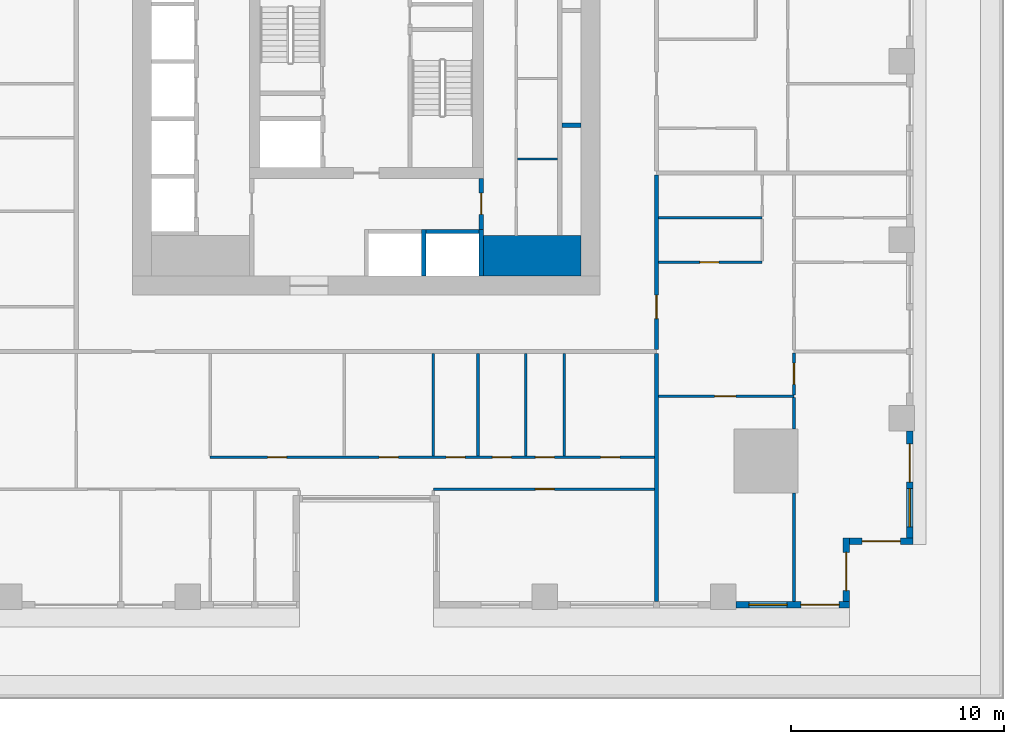
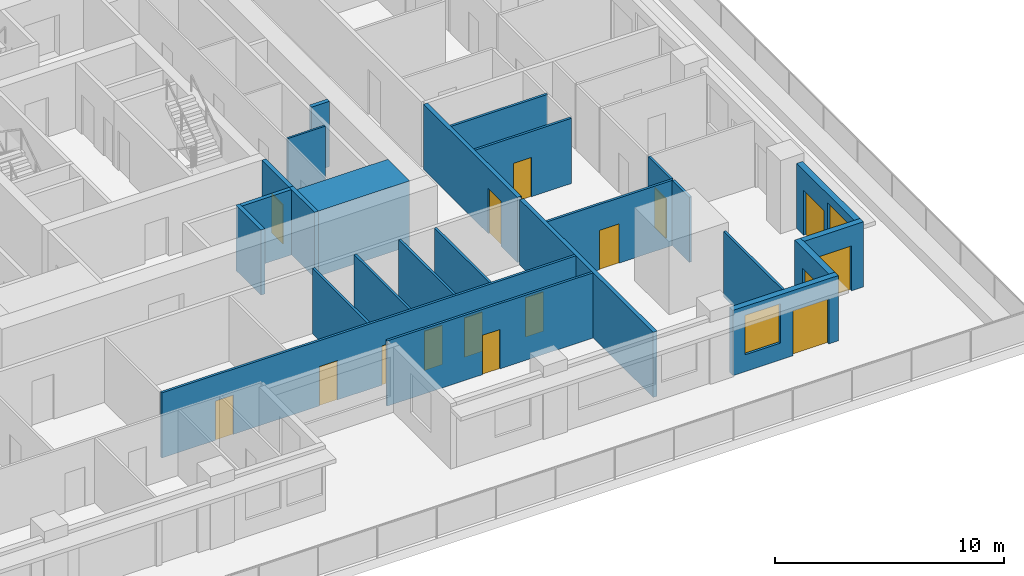
# One storey, part 5 of 16: 25 walls, 16 doors, 2 windows, 18 openings.
"""IFC4 building model written with IfcOpenShell, lengths in metres."""

from ifc_helpers import new_model, si_unit, direction, frame, frame_2d, origin, place, context, subcontext, project, spatial, rectangle, extrude, material, layer, layer_set, type_object, element, fill, save


model = new_model("IFC4")

# Units and contexts
model_context = context("Model", 3, precision=1e-05, world=origin(), true_north=direction((0.0, 1.0)))
body_context = subcontext(model_context, "Body", "Model", "MODEL_VIEW")
ifc_project = project(units=[si_unit("LENGTHUNIT", "METRE"), si_unit("AREAUNIT", "SQUARE_METRE"), si_unit("VOLUMEUNIT", "CUBIC_METRE"), si_unit("PLANEANGLEUNIT", "RADIAN"), si_unit("MASSUNIT", "GRAM", prefix="KILO")], contexts=[model_context])

# Site, building, storey
site_placement = place(None, origin())
site = spatial("IfcSite", under=ifc_project, at=site_placement, CompositionType="ELEMENT")
building_placement = place(site_placement, origin())
building = spatial("IfcBuilding", under=site, at=building_placement, Name="Khepri Terraces", CompositionType="ELEMENT")
storey_placement = place(building_placement, frame((0.0, 0.0, 27.0)))
storey = spatial("IfcBuildingStorey", under=building, at=storey_placement, Name="L05", CompositionType="ELEMENT", Elevation=27.0)

# Walls
ifc_material_1 = material(Name="Concrete C80/95", Category="concrete")
ifc_layer_1 = layer(ifc_material_1, 1.89990234375, Name="Concrete C80/95", Category="concrete")
ifc_layer_set_1 = layer_set([ifc_layer_1], Name="Concrete C80/95")
wall_type_1 = type_object("IfcWallType", Name="Core wall 1900 C80/95", PredefinedType="SHEAR", material=ifc_layer_set_1)
wall_1_placement = place(storey_placement, frame((5.5, -9.14990234375, 0.0), z_axis=(0.0, 0.0, 1.0), x_axis=(1.0, 0.0, 0.0)))
element("IfcWall", 1, at=wall_1_placement, inside=storey, type_object=wall_type_1, Name="Core wall PR02 L05", PredefinedType="SHEAR", context=body_context, shape_type="SweptSolid", body=[
    extrude(rectangle(XDim=4.60009765625, YDim=1.89990234375, at=frame_2d((2.300048828125, 0.0))), origin(), (0.0, 0.0, 1.0), 3.47998046875),
])
ifc_layer_2 = layer(ifc_material_1, 0.199951171875, Name="Concrete C80/95", Category="concrete")
ifc_layer_set_2 = layer_set([ifc_layer_2], Name="Concrete C80/95")
wall_type_2 = type_object("IfcWallType", Name="Core wall 200 C80/95", PredefinedType="SHEAR", material=ifc_layer_set_2)
for number, where, z_axis, x_axis, name in (
    (2, (2.699951171875, -10.10009765625, 0.0), (0.0, 0.0, 1.0), (0.0, 1.0, 0.0), "Core wall SH02 L05"),
    (3, (5.39990234375, -10.10009765625, 0.0), (0.0, 0.0, 1.0), (0.0, 1.0, 0.0), "Core wall SH03 L05"),
):
    element("IfcWall", number, at=place(storey_placement, frame(where, z_axis=z_axis, x_axis=x_axis)), inside=storey, type_object=wall_type_2, Name=name, PredefinedType="SHEAR", context=body_context, shape_type="SweptSolid", body=[
        extrude(rectangle(XDim=2.2001953125, YDim=0.199951171875, at=frame_2d((1.10009765625, 0.0))), origin(), (0.0, 0.0, 1.0), 3.47998046875),
    ])
wall_2_placement = place(storey_placement, frame((2.800048828125, -8.0, 0.0), z_axis=(0.0, 0.0, 1.0), x_axis=(1.0, 0.0, 0.0)))
element("IfcWall", 4, at=wall_2_placement, inside=storey, type_object=wall_type_2, Name="Core wall SH07 L05", PredefinedType="SHEAR", context=body_context, shape_type="SweptSolid", body=[
    extrude(rectangle(XDim=2.5, YDim=0.199951171875, at=frame_2d((1.25, 0.0))), origin(), (0.0, 0.0, 1.0), 3.47998046875),
])
wall_3_placement = place(storey_placement, frame((9.199951171875, -3.0, 0.0), z_axis=(0.0, 0.0, 1.0), x_axis=(1.0, 0.0, 0.0)))
element("IfcWall", 5, at=wall_3_placement, inside=storey, type_object=wall_type_2, Name="Core wall SH11 L05", PredefinedType="SHEAR", context=body_context, shape_type="SweptSolid", body=[
    extrude(rectangle(XDim=0.900146484375, YDim=0.199951171875, at=frame_2d((0.4501953125, 0.0))), origin(), (0.0, 0.0, 1.0), 3.47998046875),
])
ifc_material_2 = material(Name="Fire-rated gypsum board partition")
ifc_layer_3 = layer(ifc_material_2, 0.10009765625, Name="Fire-rated gypsum board partition")
ifc_layer_set_3 = layer_set([ifc_layer_3], Name="Fire-rated gypsum board partition")
wall_type_3 = type_object("IfcWallType", Name="WL-CORE-PART-100", PredefinedType="PARTITIONING", material=ifc_layer_set_3)
wall_4_placement = place(storey_placement, frame((7.10009765625, -4.60009765625, 0.0), z_axis=(0.0, 0.0, 1.0), x_axis=(1.0, 0.0, 0.0)))
element("IfcWall", 6, at=wall_4_placement, inside=storey, type_object=wall_type_3, Name="Core partition PT04 L05", PredefinedType="PARTITIONING", context=body_context, shape_type="SweptSolid", body=[
    extrude(rectangle(XDim=1.89990234375, YDim=0.10009765625, at=frame_2d((0.949951171875, 0.0))), origin(), (0.0, 0.0, 1.0), 3.47998046875),
])

# Wall, opening, door
ifc_layer_4 = layer(ifc_material_2, 0.199951171875, Name="Fire-rated gypsum board partition")
ifc_layer_set_4 = layer_set([ifc_layer_4], Name="Fire-rated gypsum board partition")
wall_type_4 = type_object("IfcWallType", Name="WL-CORE-PART-200", PredefinedType="PARTITIONING", material=ifc_layer_set_4)
wall_5_placement = place(storey_placement, frame((5.39990234375, -7.89990234375, 0.0), z_axis=(0.0, 0.0, 1.0), x_axis=(0.0, 1.0, 0.0)))
wall_5 = element("IfcWall", 7, at=wall_5_placement, inside=storey, type_object=wall_type_4, Name="Core partition PT03 L05", PredefinedType="PARTITIONING", context=body_context, shape_type="SweptSolid", body=[
    extrude(rectangle(XDim=2.39990234375, YDim=0.199951171875, at=frame_2d((1.199951171875, 0.0))), origin(), (0.0, 0.0, 1.0), 3.47998046875),
])
opening_1_placement = place(wall_5_placement, frame((0.699951171875, 0.0, 0.0)))
opening_1 = element("IfcOpeningElement", 8, at=opening_1_placement, cuts=wall_5, Name="Opening L05-C19", PredefinedType="OPENING", context=body_context, shape_type="SweptSolid", body=[
    extrude(rectangle(XDim=1.0, YDim=2.10009765625, at=frame_2d((0.5, 1.050048828125))), frame((0.0, 0.10986328125, 0.0), z_axis=(0.0, -1.0, 0.0), x_axis=(1.0, 0.0, 0.0)), (0.0, 0.0, 1.0), 0.219970703125),
])
ifc_material_3 = material(Name="Painted steel", Category="steel")
door_type_1 = type_object("IfcDoorType", Name="DR-CORE-LOBBY-1000", OperationType="NOTDEFINED", PredefinedType="DOOR", material=ifc_material_3)
door_1_placement = place(opening_1_placement, origin())
door_1 = element("IfcDoor", 9, at=door_1_placement, inside=storey, type_object=door_type_1, Name="Lobby door L05-C19", OperationType="SINGLE_SWING_RIGHT", OverallHeight=2.10009765625, OverallWidth=1.0, PredefinedType="DOOR", context=body_context, shape_type="SweptSolid", body=[
    extrude(rectangle(XDim=1.0, YDim=2.10009765625, at=frame_2d((0.5, 1.050048828125))), frame((0.0, 0.02490234375, 0.0), z_axis=(0.0, -1.0, 0.0), x_axis=(1.0, 0.0, 0.0)), (0.0, 0.0, 1.0), 0.050048828125),
])
fill(opening_1, door_1)

# Wall
ifc_material_4 = material(Name="Fire-rated gypsum plasterboard partition, mineral wool")
ifc_layer_5 = layer(ifc_material_4, 0.199951171875, Name="Fire-rated gypsum plasterboard partition, mineral wool")
ifc_layer_set_5 = layer_set([ifc_layer_5], Name="Fire-rated gypsum plasterboard partition, mineral wool")
wall_type_5 = type_object("IfcWallType", Name="WL-CORR-200", PredefinedType="PARTITIONING", material=ifc_layer_set_5)
wall_6_placement = place(storey_placement, frame((13.64990234375, -25.419921875, 0.0), z_axis=(0.0, 0.0, 1.0), x_axis=(0.0, 1.0, 0.0)))
element("IfcWall", 10, at=wall_6_placement, inside=storey, type_object=wall_type_5, Name="Partition P-004 L05", PredefinedType="PARTITIONING", context=body_context, shape_type="SweptSolid", body=[
    extrude(rectangle(XDim=11.669921875, YDim=0.199951171875, at=frame_2d((5.8349609375, 0.0))), origin(), (0.0, 0.0, 1.0), 3.47998046875),
])

# Wall, opening, door
wall_7_placement = place(storey_placement, frame((13.64990234375, -13.550048828125, 0.0), z_axis=(0.0, 0.0, 1.0), x_axis=(0.0, 1.0, 0.0)))
wall_7 = element("IfcWall", 11, at=wall_7_placement, inside=storey, type_object=wall_type_5, Name="Partition P-028 L05", PredefinedType="PARTITIONING", context=body_context, shape_type="SweptSolid", body=[
    extrude(rectangle(XDim=8.199951171875, YDim=0.199951171875, at=frame_2d((4.10009765625, 0.0))), origin(), (0.0, 0.0, 1.0), 3.47998046875),
])
opening_2_placement = place(wall_7_placement, frame((1.449951171875, 0.0, 0.0)))
opening_2 = element("IfcOpeningElement", 12, at=opening_2_placement, cuts=wall_7, Name="Opening D1", PredefinedType="OPENING", context=body_context, shape_type="SweptSolid", body=[
    extrude(rectangle(XDim=1.10009765625, YDim=2.39990234375, at=frame_2d((0.550048828125, 1.199951171875))), frame((0.0, 0.10986328125, 0.0), z_axis=(0.0, -1.0, 0.0), x_axis=(1.0, 0.0, 0.0)), (0.0, 0.0, 1.0), 0.219970703125),
])
ifc_material_5 = material(Name="Solid-core timber door leaf, flat entrance door", Category="wood")
door_type_2 = type_object("IfcDoorType", Name="DR-ENT-1100", OperationType="NOTDEFINED", PredefinedType="DOOR", material=ifc_material_5)
door_2_placement = place(opening_2_placement, frame((1.10009765625, 0.0, 0.0), z_axis=(0.0, 0.0, 1.0), x_axis=(-1.0, 0.0, 0.0)))
door_2 = element("IfcDoor", 13, at=door_2_placement, inside=storey, type_object=door_type_2, Name="Flat B1 entrance door", OperationType="SINGLE_SWING_RIGHT", OverallHeight=2.39990234375, OverallWidth=1.10009765625, PredefinedType="DOOR", context=body_context, shape_type="SweptSolid", body=[
    extrude(rectangle(XDim=1.10009765625, YDim=2.39990234375, at=frame_2d((0.550048828125, 1.199951171875))), frame((0.0, 0.02490234375, 0.0), z_axis=(0.0, -1.0, 0.0), x_axis=(1.0, 0.0, 0.0)), (0.0, 0.0, 1.0), 0.050048828125),
])
fill(opening_2, door_2)

ifc_material_6 = material(Name="Precast concrete C50/60 warm stone", Category="masonry")
ifc_layer_6 = layer(ifc_material_6, 0.300048828125, Name="Precast concrete C50/60 warm stone", Category="masonry")
ifc_layer_set_6 = layer_set([ifc_layer_6], Name="Precast concrete C50/60 warm stone")
wall_type_6 = type_object("IfcWallType", Name="WL-EXT-PRECAST-300", PredefinedType="STANDARD", material=ifc_layer_set_6)
wall_8_placement = place(storey_placement, frame((22.719970703125, -22.570068359375, 0.0), z_axis=(0.0, 0.0, 1.0), x_axis=(1.0, 0.0, 0.0)))
wall_8 = element("IfcWall", 14, at=wall_8_placement, inside=storey, type_object=wall_type_6, Name="External wall L05 S", PredefinedType="STANDARD", context=body_context, shape_type="SweptSolid", body=[
    extrude(rectangle(XDim=3.0, YDim=0.300048828125, at=frame_2d((1.5, 0.0))), origin(), (0.0, 0.0, 1.0), 3.47998046875),
])
opening_3_placement = place(wall_8_placement, frame((0.60009765625, 0.0, 0.0)))
opening_3 = element("IfcOpeningElement", 15, at=opening_3_placement, cuts=wall_8, Name="Opening ED-L05-01", PredefinedType="OPENING", context=body_context, shape_type="SweptSolid", body=[
    extrude(rectangle(XDim=1.800048828125, YDim=2.39990234375, at=frame_2d((0.89990234375, 1.199951171875))), frame((0.0, 0.16015625, 0.0), z_axis=(0.0, -1.0, 0.0), x_axis=(1.0, 0.0, 0.0)), (0.0, 0.0, 1.0), 0.320068359375),
])
ifc_material_7 = material(Name="Anodised aluminium bronze glazed door", Category="aluminium")
door_type_3 = type_object("IfcDoorType", Name="DR-BAL-SLIDE-1800x2400", OperationType="NOTDEFINED", PredefinedType="DOOR", material=ifc_material_7)
door_3_placement = place(opening_3_placement, origin())
door_3 = element("IfcDoor", 16, at=door_3_placement, inside=storey, type_object=door_type_3, Name="Balcony door L05 S", OperationType="SLIDING_TO_RIGHT", OverallHeight=2.39990234375, OverallWidth=1.800048828125, PredefinedType="DOOR", context=body_context, shape_type="SweptSolid", body=[
    extrude(rectangle(XDim=1.800048828125, YDim=2.39990234375, at=frame_2d((0.89990234375, 1.199951171875))), frame((0.0, 0.02490234375, 0.0), z_axis=(0.0, -1.0, 0.0), x_axis=(1.0, 0.0, 0.0)), (0.0, 0.0, 1.0), 0.050048828125),
])
fill(opening_3, door_3)

# Wall, openings, door, window
wall_9_placement = place(storey_placement, frame((25.570068359375, -22.419921875, 0.0), z_axis=(0.0, 0.0, 1.0), x_axis=(0.0, 1.0, 0.0)))
wall_9 = element("IfcWall", 17, at=wall_9_placement, inside=storey, type_object=wall_type_6, Name="External wall L05 E", PredefinedType="STANDARD", context=body_context, shape_type="SweptSolid", body=[
    extrude(rectangle(XDim=5.02001953125, YDim=0.300048828125, at=frame_2d((2.510009765625, 0.0))), origin(), (0.0, 0.0, 1.0), 3.47998046875),
])
opening_4_placement = place(wall_9_placement, frame((0.52001953125, 0.0, 0.89990234375)))
opening_4 = element("IfcOpeningElement", 18, at=opening_4_placement, cuts=wall_9, Name="Opening W1", PredefinedType="OPENING", context=body_context, shape_type="SweptSolid", body=[
    extrude(rectangle(XDim=1.800048828125, YDim=2.10009765625, at=frame_2d((0.89990234375, 1.050048828125))), frame((0.0, 0.16015625, 0.0), z_axis=(0.0, -1.0, 0.0), x_axis=(1.0, 0.0, 0.0)), (0.0, 0.0, 1.0), 0.320068359375),
])
opening_5_placement = place(wall_9_placement, frame((2.6201171875, 0.0, 0.0)))
opening_5 = element("IfcOpeningElement", 19, at=opening_5_placement, cuts=wall_9, Name="Opening ED-L05-02", PredefinedType="OPENING", context=body_context, shape_type="SweptSolid", body=[
    extrude(rectangle(XDim=1.800048828125, YDim=2.39990234375, at=frame_2d((0.89990234375, 1.199951171875))), frame((0.0, 0.16015625, 0.0), z_axis=(0.0, -1.0, 0.0), x_axis=(1.0, 0.0, 0.0)), (0.0, 0.0, 1.0), 0.320068359375),
])
door_4_placement = place(opening_5_placement, origin())
door_4 = element("IfcDoor", 20, at=door_4_placement, inside=storey, type_object=door_type_3, Name="Balcony door L05 E", OperationType="SLIDING_TO_RIGHT", OverallHeight=2.39990234375, OverallWidth=1.800048828125, PredefinedType="DOOR", context=body_context, shape_type="SweptSolid", body=[
    extrude(rectangle(XDim=1.800048828125, YDim=2.39990234375, at=frame_2d((0.89990234375, 1.199951171875))), frame((0.0, 0.02490234375, 0.0), z_axis=(0.0, -1.0, 0.0), x_axis=(1.0, 0.0, 0.0)), (0.0, 0.0, 1.0), 0.050048828125),
])
fill(opening_5, door_4)
ifc_material_8 = material(Name="Clear glass", Category="glass")
window_type = type_object("IfcWindowType", Name="WIN-RES-1800x2100", PartitioningType="SINGLE_PANEL", PredefinedType="WINDOW", material=ifc_material_8)
window_1_placement = place(opening_4_placement, origin())
window_1 = element("IfcWindow", 21, at=window_1_placement, inside=storey, type_object=window_type, Name="Window L05 E", OverallHeight=2.10009765625, OverallWidth=1.800048828125, PartitioningType="SINGLE_PANEL", PredefinedType="WINDOW", context=body_context, shape_type="SweptSolid", body=[
    extrude(rectangle(XDim=1.800048828125, YDim=2.10009765625, at=frame_2d((0.89990234375, 1.050048828125))), frame((0.0, 0.030029296875, 0.0), z_axis=(0.0, -1.0, 0.0), x_axis=(1.0, 0.0, 0.0)), (0.0, 0.0, 1.0), 0.06005859375),
])
fill(opening_4, window_1)

wall_10_placement = place(storey_placement, frame((17.39990234375, -25.570068359375, 0.0), z_axis=(0.0, 0.0, 1.0), x_axis=(1.0, 0.0, 0.0)))
wall_10 = element("IfcWall", 22, at=wall_10_placement, inside=storey, type_object=wall_type_6, Name="External wall L05 S", PredefinedType="STANDARD", context=body_context, shape_type="SweptSolid", body=[
    extrude(rectangle(XDim=5.320068359375, YDim=0.300048828125, at=frame_2d((2.66015625, 0.0))), origin(), (0.0, 0.0, 1.0), 3.47998046875),
])
opening_6_placement = place(wall_10_placement, frame((0.60009765625, 0.0, 0.89990234375)))
opening_6 = element("IfcOpeningElement", 23, at=opening_6_placement, cuts=wall_10, Name="Opening W1", PredefinedType="OPENING", context=body_context, shape_type="SweptSolid", body=[
    extrude(rectangle(XDim=1.800048828125, YDim=2.10009765625, at=frame_2d((0.89990234375, 1.050048828125))), frame((0.0, 0.16015625, 0.0), z_axis=(0.0, -1.0, 0.0), x_axis=(1.0, 0.0, 0.0)), (0.0, 0.0, 1.0), 0.320068359375),
])
opening_7_placement = place(wall_10_placement, frame((3.044921875, 0.0, 0.0)))
opening_7 = element("IfcOpeningElement", 24, at=opening_7_placement, cuts=wall_10, Name="Opening ED-L05-27", PredefinedType="OPENING", context=body_context, shape_type="SweptSolid", body=[
    extrude(rectangle(XDim=1.800048828125, YDim=2.39990234375, at=frame_2d((0.89990234375, 1.199951171875))), frame((0.0, 0.16015625, 0.0), z_axis=(0.0, -1.0, 0.0), x_axis=(1.0, 0.0, 0.0)), (0.0, 0.0, 1.0), 0.320068359375),
])
door_5_placement = place(opening_7_placement, origin())
door_5 = element("IfcDoor", 25, at=door_5_placement, inside=storey, type_object=door_type_3, Name="Balcony door L05 S", OperationType="SLIDING_TO_RIGHT", OverallHeight=2.39990234375, OverallWidth=1.800048828125, PredefinedType="DOOR", context=body_context, shape_type="SweptSolid", body=[
    extrude(rectangle(XDim=1.800048828125, YDim=2.39990234375, at=frame_2d((0.89990234375, 1.199951171875))), frame((0.0, 0.02490234375, 0.0), z_axis=(0.0, -1.0, 0.0), x_axis=(1.0, 0.0, 0.0)), (0.0, 0.0, 1.0), 0.050048828125),
])
fill(opening_7, door_5)
window_2_placement = place(opening_6_placement, origin())
window_2 = element("IfcWindow", 26, at=window_2_placement, inside=storey, type_object=window_type, Name="Window L05 S", OverallHeight=2.10009765625, OverallWidth=1.800048828125, PartitioningType="SINGLE_PANEL", PredefinedType="WINDOW", context=body_context, shape_type="SweptSolid", body=[
    extrude(rectangle(XDim=1.800048828125, YDim=2.10009765625, at=frame_2d((0.89990234375, 1.050048828125))), frame((0.0, 0.030029296875, 0.0), z_axis=(0.0, -1.0, 0.0), x_axis=(1.0, 0.0, 0.0)), (0.0, 0.0, 1.0), 0.06005859375),
])
fill(opening_6, window_2)

# Wall, opening, door
wall_11_placement = place(storey_placement, frame((22.570068359375, -25.419921875, 0.0), z_axis=(0.0, 0.0, 1.0), x_axis=(0.0, 1.0, 0.0)))
wall_11 = element("IfcWall", 27, at=wall_11_placement, inside=storey, type_object=wall_type_6, Name="External wall L05 E", PredefinedType="STANDARD", context=body_context, shape_type="SweptSolid", body=[
    extrude(rectangle(XDim=3.0, YDim=0.300048828125, at=frame_2d((1.5, 0.0))), origin(), (0.0, 0.0, 1.0), 3.47998046875),
])
opening_8_placement = place(wall_11_placement, frame((0.52490234375, 0.0, 0.0)))
opening_8 = element("IfcOpeningElement", 28, at=opening_8_placement, cuts=wall_11, Name="Opening ED-L05-28", PredefinedType="OPENING", context=body_context, shape_type="SweptSolid", body=[
    extrude(rectangle(XDim=1.800048828125, YDim=2.39990234375, at=frame_2d((0.89990234375, 1.199951171875))), frame((0.0, 0.16015625, 0.0), z_axis=(0.0, -1.0, 0.0), x_axis=(1.0, 0.0, 0.0)), (0.0, 0.0, 1.0), 0.320068359375),
])
door_6_placement = place(opening_8_placement, origin())
door_6 = element("IfcDoor", 29, at=door_6_placement, inside=storey, type_object=door_type_3, Name="Balcony door L05 E", OperationType="SLIDING_TO_LEFT", OverallHeight=2.39990234375, OverallWidth=1.800048828125, PredefinedType="DOOR", context=body_context, shape_type="SweptSolid", body=[
    extrude(rectangle(XDim=1.800048828125, YDim=2.39990234375, at=frame_2d((0.89990234375, 1.199951171875))), frame((0.0, 0.02490234375, 0.0), z_axis=(0.0, -1.0, 0.0), x_axis=(1.0, 0.0, 0.0)), (0.0, 0.0, 1.0), 0.050048828125),
])
fill(opening_8, door_6)

# Wall
ifc_material_9 = material(Name="Gypsum plasterboard partition")
ifc_layer_7 = layer(ifc_material_9, 0.1201171875, Name="Gypsum plasterboard partition")
ifc_layer_set_7 = layer_set([ifc_layer_7], Name="Gypsum plasterboard partition")
wall_type_7 = type_object("IfcWallType", Name="WL-PART-120", PredefinedType="PARTITIONING", material=ifc_layer_set_7)
wall_12_placement = place(storey_placement, frame((20.1201171875, -25.419921875, 0.0), z_axis=(0.0, 0.0, 1.0), x_axis=(0.0, 1.0, 0.0)))
element("IfcWall", 30, at=wall_12_placement, inside=storey, type_object=wall_type_7, Name="Partition P-005 L05", PredefinedType="PARTITIONING", context=body_context, shape_type="SweptSolid", body=[
    extrude(rectangle(XDim=5.119873046875, YDim=0.1201171875, at=frame_2d((2.56005859375, 0.0))), origin(), (0.0, 0.0, 1.0), 3.47998046875),
])

# Wall, opening, door
wall_13_placement = place(storey_placement, frame((3.14990234375, -20.1201171875, 0.0), z_axis=(0.0, 0.0, 1.0), x_axis=(1.0, 0.0, 0.0)))
wall_13 = element("IfcWall", 31, at=wall_13_placement, inside=storey, type_object=wall_type_7, Name="Partition P-010 L05", PredefinedType="PARTITIONING", context=body_context, shape_type="SweptSolid", body=[
    extrude(rectangle(XDim=10.400146484375, YDim=0.1201171875, at=frame_2d((5.2001953125, 0.0))), origin(), (0.0, 0.0, 1.0), 3.47998046875),
])
opening_9_placement = place(wall_13_placement, frame((4.800048828125, 0.0, 0.0)))
opening_9 = element("IfcOpeningElement", 32, at=opening_9_placement, cuts=wall_13, Name="Opening D3", PredefinedType="OPENING", context=body_context, shape_type="SweptSolid", body=[
    extrude(rectangle(XDim=0.89990234375, YDim=2.10009765625, at=frame_2d((0.449951171875, 1.050048828125))), frame((0.0, 0.070068359375, 0.0), z_axis=(0.0, -1.0, 0.0), x_axis=(1.0, 0.0, 0.0)), (0.0, 0.0, 1.0), 0.14013671875),
])
ifc_material_10 = material(Name="Timber door leaf", Category="wood")
door_type_4 = type_object("IfcDoorType", Name="DR-INT-900", OperationType="NOTDEFINED", PredefinedType="DOOR", material=ifc_material_10)
door_7_placement = place(opening_9_placement, frame((0.89990234375, 0.0, 0.0), z_axis=(0.0, 0.0, 1.0), x_axis=(-1.0, 0.0, 0.0)))
door_7 = element("IfcDoor", 33, at=door_7_placement, inside=storey, type_object=door_type_4, Name="Door Home Gym", OperationType="SINGLE_SWING_LEFT", OverallHeight=2.10009765625, OverallWidth=0.89990234375, PredefinedType="DOOR", context=body_context, shape_type="SweptSolid", body=[
    extrude(rectangle(XDim=0.89990234375, YDim=2.10009765625, at=frame_2d((0.449951171875, 1.050048828125))), frame((0.0, 0.02490234375, 0.0), z_axis=(0.0, -1.0, 0.0), x_axis=(1.0, 0.0, 0.0)), (0.0, 0.0, 1.0), 0.050048828125),
])
fill(opening_9, door_7)

# Wall, openings, doors
wall_14_placement = place(storey_placement, frame((-7.35009765625, -18.6201171875, 0.0), z_axis=(0.0, 0.0, 1.0), x_axis=(1.0, 0.0, 0.0)))
wall_14 = element("IfcWall", 34, at=wall_14_placement, inside=storey, type_object=wall_type_7, Name="Partition P-012 L05", PredefinedType="PARTITIONING", context=body_context, shape_type="SweptSolid", body=[
    extrude(rectangle(XDim=20.900146484375, YDim=0.1201171875, at=frame_2d((10.4501953125, 0.0))), origin(), (0.0, 0.0, 1.0), 3.47998046875),
])
opening_10_placement = place(wall_14_placement, frame((2.699951171875, 0.0, 0.0)))
opening_10 = element("IfcOpeningElement", 35, at=opening_10_placement, cuts=wall_14, Name="Opening D3", PredefinedType="OPENING", context=body_context, shape_type="SweptSolid", body=[
    extrude(rectangle(XDim=0.89990234375, YDim=2.10009765625, at=frame_2d((0.449951171875, 1.050048828125))), frame((0.0, 0.070068359375, 0.0), z_axis=(0.0, -1.0, 0.0), x_axis=(1.0, 0.0, 0.0)), (0.0, 0.0, 1.0), 0.14013671875),
])
opening_11_placement = place(wall_14_placement, frame((7.949951171875, 0.0, 0.0)))
opening_11 = element("IfcOpeningElement", 36, at=opening_11_placement, cuts=wall_14, Name="Opening D3", PredefinedType="OPENING", context=body_context, shape_type="SweptSolid", body=[
    extrude(rectangle(XDim=0.89990234375, YDim=2.10009765625, at=frame_2d((0.449951171875, 1.050048828125))), frame((0.0, 0.070068359375, 0.0), z_axis=(0.0, -1.0, 0.0), x_axis=(1.0, 0.0, 0.0)), (0.0, 0.0, 1.0), 0.14013671875),
])
opening_12_placement = place(wall_14_placement, frame((11.10009765625, 0.0, 0.0)))
opening_12 = element("IfcOpeningElement", 37, at=opening_12_placement, cuts=wall_14, Name="Opening D3", PredefinedType="OPENING", context=body_context, shape_type="SweptSolid", body=[
    extrude(rectangle(XDim=0.89990234375, YDim=2.10009765625, at=frame_2d((0.449951171875, 1.050048828125))), frame((0.0, 0.070068359375, 0.0), z_axis=(0.0, -1.0, 0.0), x_axis=(1.0, 0.0, 0.0)), (0.0, 0.0, 1.0), 0.14013671875),
])
opening_13_placement = place(wall_14_placement, frame((13.27490234375, 0.0, 0.0)))
opening_13 = element("IfcOpeningElement", 38, at=opening_13_placement, cuts=wall_14, Name="Opening D4", PredefinedType="OPENING", context=body_context, shape_type="SweptSolid", body=[
    extrude(rectangle(XDim=0.89990234375, YDim=2.10009765625, at=frame_2d((0.449951171875, 1.050048828125))), frame((0.0, 0.070068359375, 0.0), z_axis=(0.0, -1.0, 0.0), x_axis=(1.0, 0.0, 0.0)), (0.0, 0.0, 1.0), 0.14013671875),
])
opening_14_placement = place(wall_14_placement, frame((15.300048828125, 0.0, 0.0)))
opening_14 = element("IfcOpeningElement", 39, at=opening_14_placement, cuts=wall_14, Name="Opening D4", PredefinedType="OPENING", context=body_context, shape_type="SweptSolid", body=[
    extrude(rectangle(XDim=0.89990234375, YDim=2.10009765625, at=frame_2d((0.449951171875, 1.050048828125))), frame((0.0, 0.070068359375, 0.0), z_axis=(0.0, -1.0, 0.0), x_axis=(1.0, 0.0, 0.0)), (0.0, 0.0, 1.0), 0.14013671875),
])
opening_15_placement = place(wall_14_placement, frame((18.375, 0.0, 0.0)))
opening_15 = element("IfcOpeningElement", 40, at=opening_15_placement, cuts=wall_14, Name="Opening D3", PredefinedType="OPENING", context=body_context, shape_type="SweptSolid", body=[
    extrude(rectangle(XDim=0.89990234375, YDim=2.10009765625, at=frame_2d((0.449951171875, 1.050048828125))), frame((0.0, 0.070068359375, 0.0), z_axis=(0.0, -1.0, 0.0), x_axis=(1.0, 0.0, 0.0)), (0.0, 0.0, 1.0), 0.14013671875),
])
door_8_placement = place(opening_10_placement, origin())
door_8 = element("IfcDoor", 41, at=door_8_placement, inside=storey, type_object=door_type_4, Name="Door Kitchen", OperationType="SINGLE_SWING_LEFT", OverallHeight=2.10009765625, OverallWidth=0.89990234375, PredefinedType="DOOR", context=body_context, shape_type="SweptSolid", body=[
    extrude(rectangle(XDim=0.89990234375, YDim=2.10009765625, at=frame_2d((0.449951171875, 1.050048828125))), frame((0.0, 0.02490234375, 0.0), z_axis=(0.0, -1.0, 0.0), x_axis=(1.0, 0.0, 0.0)), (0.0, 0.0, 1.0), 0.050048828125),
])
fill(opening_10, door_8)
door_9_placement = place(opening_11_placement, origin())
door_9 = element("IfcDoor", 42, at=door_9_placement, inside=storey, type_object=door_type_4, Name="Door Service Store", OperationType="SINGLE_SWING_LEFT", OverallHeight=2.10009765625, OverallWidth=0.89990234375, PredefinedType="DOOR", context=body_context, shape_type="SweptSolid", body=[
    extrude(rectangle(XDim=0.89990234375, YDim=2.10009765625, at=frame_2d((0.449951171875, 1.050048828125))), frame((0.0, 0.02490234375, 0.0), z_axis=(0.0, -1.0, 0.0), x_axis=(1.0, 0.0, 0.0)), (0.0, 0.0, 1.0), 0.050048828125),
])
fill(opening_11, door_9)
door_10_placement = place(opening_12_placement, origin())
door_10 = element("IfcDoor", 43, at=door_10_placement, inside=storey, type_object=door_type_4, Name="Door Utility Room", OperationType="SINGLE_SWING_RIGHT", OverallHeight=2.10009765625, OverallWidth=0.89990234375, PredefinedType="DOOR", context=body_context, shape_type="SweptSolid", body=[
    extrude(rectangle(XDim=0.89990234375, YDim=2.10009765625, at=frame_2d((0.449951171875, 1.050048828125))), frame((0.0, 0.02490234375, 0.0), z_axis=(0.0, -1.0, 0.0), x_axis=(1.0, 0.0, 0.0)), (0.0, 0.0, 1.0), 0.050048828125),
])
fill(opening_12, door_10)
door_11_placement = place(opening_15_placement, origin())
door_11 = element("IfcDoor", 44, at=door_11_placement, inside=storey, type_object=door_type_4, Name="Door Staff Bedroom", OperationType="SINGLE_SWING_RIGHT", OverallHeight=2.10009765625, OverallWidth=0.89990234375, PredefinedType="DOOR", context=body_context, shape_type="SweptSolid", body=[
    extrude(rectangle(XDim=0.89990234375, YDim=2.10009765625, at=frame_2d((0.449951171875, 1.050048828125))), frame((0.0, 0.02490234375, 0.0), z_axis=(0.0, -1.0, 0.0), x_axis=(1.0, 0.0, 0.0)), (0.0, 0.0, 1.0), 0.050048828125),
])
fill(opening_15, door_11)
ifc_material_11 = material(Name="Timber door leaf, moisture resistant", Category="wood")
door_type_5 = type_object("IfcDoorType", Name="DR-WET-900", OperationType="NOTDEFINED", PredefinedType="DOOR", material=ifc_material_11)
door_12_placement = place(opening_13_placement, origin())
door_12 = element("IfcDoor", 45, at=door_12_placement, inside=storey, type_object=door_type_5, Name="Door Powder Room", OperationType="SINGLE_SWING_RIGHT", OverallHeight=2.10009765625, OverallWidth=0.89990234375, PredefinedType="DOOR", context=body_context, shape_type="SweptSolid", body=[
    extrude(rectangle(XDim=0.89990234375, YDim=2.10009765625, at=frame_2d((0.449951171875, 1.050048828125))), frame((0.0, 0.02490234375, 0.0), z_axis=(0.0, -1.0, 0.0), x_axis=(1.0, 0.0, 0.0)), (0.0, 0.0, 1.0), 0.050048828125),
])
fill(opening_13, door_12)
door_13_placement = place(opening_14_placement, origin())
door_13 = element("IfcDoor", 46, at=door_13_placement, inside=storey, type_object=door_type_5, Name="Door Guest Bathroom", OperationType="SINGLE_SWING_RIGHT", OverallHeight=2.10009765625, OverallWidth=0.89990234375, PredefinedType="DOOR", context=body_context, shape_type="SweptSolid", body=[
    extrude(rectangle(XDim=0.89990234375, YDim=2.10009765625, at=frame_2d((0.449951171875, 1.050048828125))), frame((0.0, 0.02490234375, 0.0), z_axis=(0.0, -1.0, 0.0), x_axis=(1.0, 0.0, 0.0)), (0.0, 0.0, 1.0), 0.050048828125),
])
fill(opening_14, door_13)

# Walls
for number, where, z_axis, x_axis, name in (
    (47, (3.14990234375, -18.56005859375, 0.0), (0.0, 0.0, 1.0), (0.0, 1.0, 0.0), "Partition P-015 L05"),
    (48, (5.25, -18.56005859375, 0.0), (0.0, 0.0, 1.0), (0.0, 1.0, 0.0), "Partition P-016 L05"),
    (49, (7.5, -18.56005859375, 0.0), (0.0, 0.0, 1.0), (0.0, 1.0, 0.0), "Partition P-017 L05"),
    (50, (9.300048828125, -18.56005859375, 0.0), (0.0, 0.0, 1.0), (0.0, 1.0, 0.0), "Partition P-018 L05"),
):
    element("IfcWall", number, at=place(storey_placement, frame(where, z_axis=z_axis, x_axis=x_axis)), inside=storey, type_object=wall_type_7, Name=name, PredefinedType="PARTITIONING", context=body_context, shape_type="SweptSolid", body=[
        extrude(rectangle(XDim=4.81005859375, YDim=0.1201171875, at=frame_2d((2.405029296875, 0.0))), origin(), (0.0, 0.0, 1.0), 3.47998046875),
    ])
wall_15_placement = place(storey_placement, frame((20.1201171875, -17.300048828125, 0.0), z_axis=(0.0, 0.0, 1.0), x_axis=(0.0, 1.0, 0.0)))
element("IfcWall", 51, at=wall_15_placement, inside=storey, type_object=wall_type_7, Name="Partition P-019 L05", PredefinedType="PARTITIONING", context=body_context, shape_type="SweptSolid", body=[
    extrude(rectangle(XDim=1.489990234375, YDim=0.1201171875, at=frame_2d((0.7451171875, 0.0))), origin(), (0.0, 0.0, 1.0), 3.47998046875),
])

# Wall, opening, door
wall_16_placement = place(storey_placement, frame((13.75, -15.75, 0.0), z_axis=(0.0, 0.0, 1.0), x_axis=(1.0, 0.0, 0.0)))
wall_16 = element("IfcWall", 52, at=wall_16_placement, inside=storey, type_object=wall_type_7, Name="Partition P-020 L05", PredefinedType="PARTITIONING", context=body_context, shape_type="SweptSolid", body=[
    extrude(rectangle(XDim=6.3701171875, YDim=0.1201171875, at=frame_2d((3.18505859375, 0.0))), origin(), (0.0, 0.0, 1.0), 3.47998046875),
])
opening_16_placement = place(wall_16_placement, frame((2.635009765625, 0.0, 0.0)))
opening_16 = element("IfcOpeningElement", 53, at=opening_16_placement, cuts=wall_16, Name="Opening D2", PredefinedType="OPENING", context=body_context, shape_type="SweptSolid", body=[
    extrude(rectangle(XDim=1.0, YDim=2.10009765625, at=frame_2d((0.5, 1.050048828125))), frame((0.0, 0.070068359375, 0.0), z_axis=(0.0, -1.0, 0.0), x_axis=(1.0, 0.0, 0.0)), (0.0, 0.0, 1.0), 0.14013671875),
])
ifc_material_12 = material(Name="Timber door leaf, living room door", Category="wood")
door_type_6 = type_object("IfcDoorType", Name="DR-INT-1000", OperationType="NOTDEFINED", PredefinedType="DOOR", material=ifc_material_12)
door_14_placement = place(opening_16_placement, frame((1.0, 0.0, 0.0), z_axis=(0.0, 0.0, 1.0), x_axis=(-1.0, 0.0, 0.0)))
door_14 = element("IfcDoor", 54, at=door_14_placement, inside=storey, type_object=door_type_6, Name="Door Family Room", OperationType="SINGLE_SWING_RIGHT", OverallHeight=2.10009765625, OverallWidth=1.0, PredefinedType="DOOR", context=body_context, shape_type="SweptSolid", body=[
    extrude(rectangle(XDim=1.0, YDim=2.10009765625, at=frame_2d((0.5, 1.050048828125))), frame((0.0, 0.02490234375, 0.0), z_axis=(0.0, -1.0, 0.0), x_axis=(1.0, 0.0, 0.0)), (0.0, 0.0, 1.0), 0.050048828125),
])
fill(opening_16, door_14)

wall_17_placement = place(storey_placement, frame((20.1201171875, -15.68994140625, 0.0), z_axis=(0.0, 0.0, 1.0), x_axis=(0.0, 1.0, 0.0)))
wall_17 = element("IfcWall", 55, at=wall_17_placement, inside=storey, type_object=wall_type_7, Name="Partition P-021 L05", PredefinedType="PARTITIONING", context=body_context, shape_type="SweptSolid", body=[
    extrude(rectangle(XDim=1.97998046875, YDim=0.1201171875, at=frame_2d((0.989990234375, 0.0))), origin(), (0.0, 0.0, 1.0), 3.47998046875),
])
opening_17_placement = place(wall_17_placement, frame((0.489990234375, 0.0, 0.0)))
opening_17 = element("IfcOpeningElement", 56, at=opening_17_placement, cuts=wall_17, Name="Opening D2", PredefinedType="OPENING", context=body_context, shape_type="SweptSolid", body=[
    extrude(rectangle(XDim=1.0, YDim=2.10009765625, at=frame_2d((0.5, 1.050048828125))), frame((0.0, 0.070068359375, 0.0), z_axis=(0.0, -1.0, 0.0), x_axis=(1.0, 0.0, 0.0)), (0.0, 0.0, 1.0), 0.14013671875),
])
door_15_placement = place(opening_17_placement, frame((1.0, 0.0, 0.0), z_axis=(0.0, 0.0, 1.0), x_axis=(-1.0, 0.0, 0.0)))
door_15 = element("IfcDoor", 57, at=door_15_placement, inside=storey, type_object=door_type_6, Name="Door Living Room", OperationType="SINGLE_SWING_LEFT", OverallHeight=2.10009765625, OverallWidth=1.0, PredefinedType="DOOR", context=body_context, shape_type="SweptSolid", body=[
    extrude(rectangle(XDim=1.0, YDim=2.10009765625, at=frame_2d((0.5, 1.050048828125))), frame((0.0, 0.02490234375, 0.0), z_axis=(0.0, -1.0, 0.0), x_axis=(1.0, 0.0, 0.0)), (0.0, 0.0, 1.0), 0.050048828125),
])
fill(opening_17, door_15)

wall_18_placement = place(storey_placement, frame((13.75, -9.449951171875, 0.0), z_axis=(0.0, 0.0, 1.0), x_axis=(1.0, 0.0, 0.0)))
wall_18 = element("IfcWall", 58, at=wall_18_placement, inside=storey, type_object=wall_type_7, Name="Partition P-033 L05", PredefinedType="PARTITIONING", context=body_context, shape_type="SweptSolid", body=[
    extrude(rectangle(XDim=4.8701171875, YDim=0.1201171875, at=frame_2d((2.43505859375, 0.0))), origin(), (0.0, 0.0, 1.0), 3.47998046875),
])
opening_18_placement = place(wall_18_placement, frame((1.93505859375, 0.0, 0.0)))
opening_18 = element("IfcOpeningElement", 59, at=opening_18_placement, cuts=wall_18, Name="Opening D4", PredefinedType="OPENING", context=body_context, shape_type="SweptSolid", body=[
    extrude(rectangle(XDim=0.89990234375, YDim=2.10009765625, at=frame_2d((0.449951171875, 1.050048828125))), frame((0.0, 0.070068359375, 0.0), z_axis=(0.0, -1.0, 0.0), x_axis=(1.0, 0.0, 0.0)), (0.0, 0.0, 1.0), 0.14013671875),
])
door_16_placement = place(opening_18_placement, origin())
door_16 = element("IfcDoor", 60, at=door_16_placement, inside=storey, type_object=door_type_5, Name="Door Guest Bathroom", OperationType="SINGLE_SWING_LEFT", OverallHeight=2.10009765625, OverallWidth=0.89990234375, PredefinedType="DOOR", context=body_context, shape_type="SweptSolid", body=[
    extrude(rectangle(XDim=0.89990234375, YDim=2.10009765625, at=frame_2d((0.449951171875, 1.050048828125))), frame((0.0, 0.02490234375, 0.0), z_axis=(0.0, -1.0, 0.0), x_axis=(1.0, 0.0, 0.0)), (0.0, 0.0, 1.0), 0.050048828125),
])
fill(opening_18, door_16)

# Wall
wall_19_placement = place(storey_placement, frame((13.75, -7.35009765625, 0.0), z_axis=(0.0, 0.0, 1.0), x_axis=(1.0, 0.0, 0.0)))
element("IfcWall", 61, at=wall_19_placement, inside=storey, type_object=wall_type_7, Name="Partition P-038 L05", PredefinedType="PARTITIONING", context=body_context, shape_type="SweptSolid", body=[
    extrude(rectangle(XDim=4.8701171875, YDim=0.1201171875, at=frame_2d((2.43505859375, 0.0))), origin(), (0.0, 0.0, 1.0), 3.47998046875),
])

save(model, "model.ifc")
